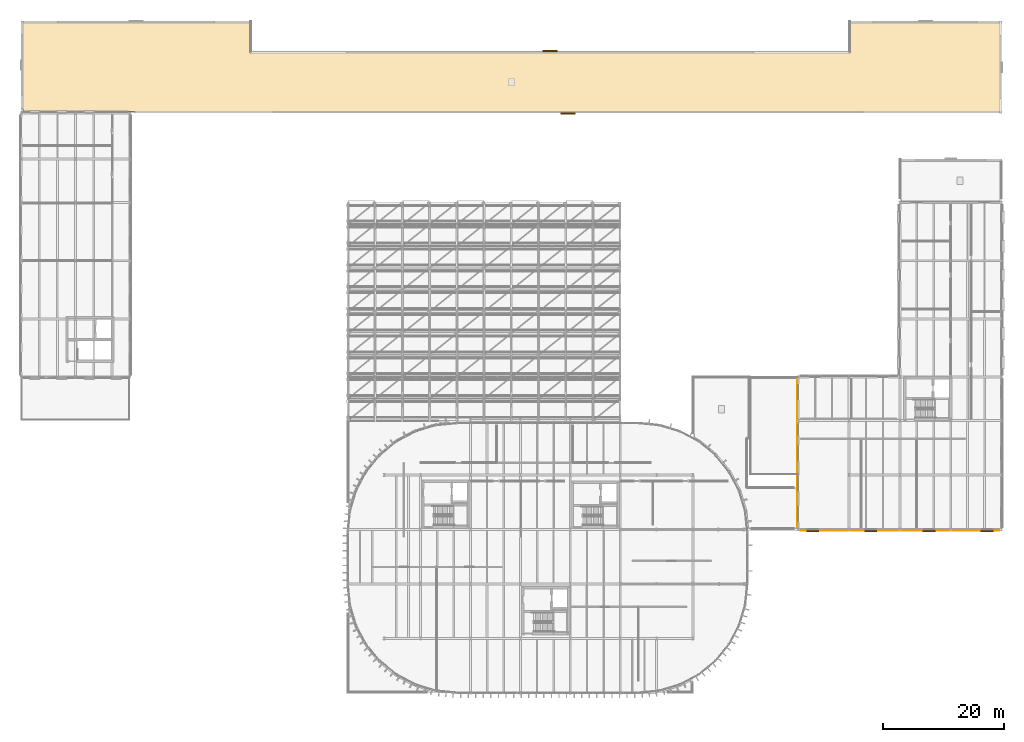
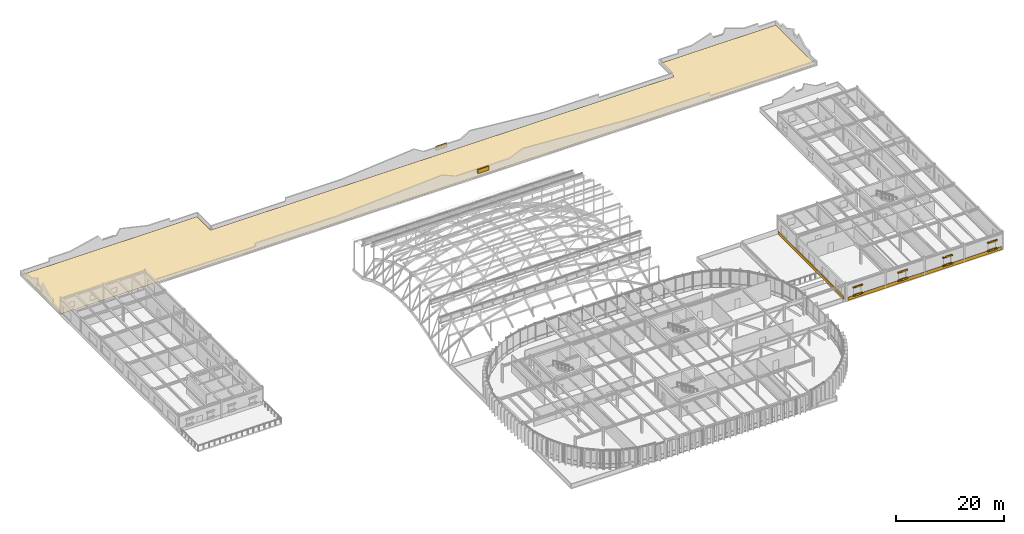
# One storey, part 67 of 69: 13 coverings.
"""IFC4 building model written with IfcOpenShell, lengths in metres."""

from ifc_helpers import new_model, si_unit, direction, frame, origin, origin_2d, place, context, subcontext, project, spatial, polyline, rectangle, outline, extrude, material, layer, layer_set, type_object, element, save


model = new_model("IFC4")

# Units and contexts
model_context = context("Model", 3, precision=1e-05, world=origin(), true_north=direction((0.0, 1.0)))
body_context = subcontext(model_context, "Body", "Model", "MODEL_VIEW")
ifc_project = project(units=[si_unit("LENGTHUNIT", "METRE"), si_unit("AREAUNIT", "SQUARE_METRE"), si_unit("VOLUMEUNIT", "CUBIC_METRE"), si_unit("PLANEANGLEUNIT", "RADIAN"), si_unit("MASSUNIT", "GRAM", prefix="KILO")], contexts=[model_context])

# Site, building, storey
site_placement = place(None, origin())
site = spatial("IfcSite", under=ifc_project, at=site_placement, CompositionType="ELEMENT")
building_placement = place(site_placement, origin())
building = spatial("IfcBuilding", under=site, at=building_placement, Name="Montealbar Specialist Clinic", CompositionType="ELEMENT")
storey_placement = place(building_placement, frame((0.0, 0.0, 9.60009765625)))
storey = spatial("IfcBuildingStorey", under=building, at=storey_placement, Name="L02", CompositionType="ELEMENT", Elevation=9.60009765625)

# Coverings
ifc_material_1 = material(Name="Terracotta architectural cladding", Category="masonry")
ifc_layer_1 = layer(ifc_material_1, 0.044921875, Name="Terracotta architectural cladding", Category="masonry")
ifc_layer_set_1 = layer_set([ifc_layer_1], Name="Terracotta architectural cladding")
covering_type_1 = type_object("IfcCoveringType", Name="COV-CLAD-TERRA", PredefinedType="CLADDING", material=ifc_layer_set_1)
covering_1_placement = place(storey_placement, frame((145.199951171875, 26.84912109375, 0.02978515625), z_axis=(0.0, 0.0, 1.0), x_axis=(-1.0, 0.0, 0.0)))
element("IfcCovering", 1, at=covering_1_placement, inside=storey, type_object=covering_type_1, Name="Facade Plinth Cladding Band L02-038", PredefinedType="CLADDING", context=body_context, shape_type="SweptSolid", body=[
    extrude(rectangle(XDim=32.800048828125, YDim=0.044921875, at=origin_2d()), origin(), (0.0, 0.0, 1.0), 0.780029296875),
])
covering_2_placement = place(storey_placement, frame((128.25, 39.60009765625, 0.02978515625), z_axis=(0.0, 0.0, 1.0), x_axis=(0.0, 1.0, 0.0)))
element("IfcCovering", 2, at=covering_2_placement, inside=storey, type_object=covering_type_1, Name="Facade Plinth Cladding Band L02-039", PredefinedType="CLADDING", context=body_context, shape_type="SweptSolid", body=[
    extrude(rectangle(XDim=24.39990234375, YDim=0.044921875, at=origin_2d()), origin(), (0.0, 0.0, 1.0), 0.780029296875),
])
ifc_material_2 = material(Name="Guadarrama granite ashlar", Category="masonry")
ifc_layer_2 = layer(ifc_material_2, 0.280029296875, Name="Guadarrama granite ashlar", Category="masonry")
ifc_layer_set_2 = layer_set([ifc_layer_2], Name="Guadarrama granite ashlar")
covering_type_2 = type_object("IfcCoveringType", Name="COV-HOOD-OCULUS", PredefinedType="CLADDING", material=ifc_layer_set_2)
for number, where, z_axis, x_axis, name in (
    (3, (159.60009765625, 26.735107421875, 2.57470703125), (0.0, 0.0, 1.0), (-1.0, 0.0, 0.0), "Postmodern Oculus Stone Frame L02-059-TOP"),
    (4, (159.60009765625, 26.735107421875, 0.7548828125), (0.0, 0.0, 1.0), (-1.0, 0.0, 0.0), "Postmodern Oculus Stone Frame L02-059-BOT"),
    (5, (150.0, 26.735107421875, 2.57470703125), (0.0, 0.0, 1.0), (-1.0, 0.0, 0.0), "Postmodern Oculus Stone Frame L02-060-TOP"),
    (6, (150.0, 26.735107421875, 0.7548828125), (0.0, 0.0, 1.0), (-1.0, 0.0, 0.0), "Postmodern Oculus Stone Frame L02-060-BOT"),
    (7, (140.39990234375, 26.735107421875, 2.57470703125), (0.0, 0.0, 1.0), (-1.0, 0.0, 0.0), "Postmodern Oculus Stone Frame L02-061-TOP"),
    (8, (140.39990234375, 26.735107421875, 0.7548828125), (0.0, 0.0, 1.0), (-1.0, 0.0, 0.0), "Postmodern Oculus Stone Frame L02-061-BOT"),
    (9, (130.800048828125, 26.735107421875, 2.57470703125), (0.0, 0.0, 1.0), (-1.0, 0.0, 0.0), "Postmodern Oculus Stone Frame L02-062-TOP"),
    (10, (130.800048828125, 26.735107421875, 0.7548828125), (0.0, 0.0, 1.0), (-1.0, 0.0, 0.0), "Postmodern Oculus Stone Frame L02-062-BOT"),
):
    element("IfcCovering", number, at=place(storey_placement, frame(where, z_axis=z_axis, x_axis=x_axis)), inside=storey, type_object=covering_type_2, Name=name, PredefinedType="CLADDING", context=body_context, shape_type="SweptSolid", body=[
        extrude(rectangle(XDim=2.0400390625, YDim=0.280029296875, at=origin_2d()), origin(), (0.0, 0.0, 1.0), 0.199951171875),
    ])
for number, where, z_axis, x_axis, name in (
    (11, (87.39990234375, 106.070068359375, 0.89990234375), (0.0, 0.0, 1.0), (1.0, 0.0, 0.0), "Postmodern Pediment Granite Keystone L02-01"),
    (12, (90.375, 95.72998046875, 0.89990234375), (0.0, 0.0, 1.0), (-1.0, 0.0, 0.0), "Postmodern Pediment Granite Keystone L02-04"),
):
    element("IfcCovering", number, at=place(storey_placement, frame(where, z_axis=z_axis, x_axis=x_axis)), inside=storey, type_object=covering_type_2, Name=name, PredefinedType="CLADDING", context=body_context, shape_type="SweptSolid", body=[
        extrude(rectangle(XDim=2.39990234375, YDim=0.219970703125, at=origin_2d()), origin(), (0.0, 0.0, 1.0), 0.89990234375),
    ])
ifc_material_3 = material(Name="Weatherproof roofing membrane", Category="concrete")
ifc_layer_3 = layer(ifc_material_3, 0.030029296875, Name="Weatherproof roofing membrane", Category="concrete")
ifc_layer_set_3 = layer_set([ifc_layer_3], Name="Weatherproof roofing membrane")
covering_type_3 = type_object("IfcCoveringType", Name="COV-ROOF-MEMB", PredefinedType="ROOFING", material=ifc_layer_set_3)
covering_3_placement = place(storey_placement, origin())
element("IfcCovering", 13, at=covering_3_placement, inside=storey, type_object=covering_type_3, Name="Weatherproof Roof Membrane ROOF-L02-01", PredefinedType="ROOFING", context=body_context, shape_type="SweptSolid", body=[
    extrude(outline(polyline([(37.719970703125, 110.719970703125), (37.719970703125, 106.0), (37.720947265625, 105.972900390625), (37.72509765625, 105.945068359375), (37.73193359375, 105.9189453125), (37.740966796875, 105.89306640625), (37.7529296875, 105.867919921875), (37.76708984375, 105.843994140625), (37.783935546875, 105.822021484375), (37.802001953125, 105.802001953125), (37.822021484375, 105.783935546875), (37.843994140625, 105.76708984375), (37.867919921875, 105.7529296875), (37.89306640625, 105.740966796875), (37.9189453125, 105.73193359375), (37.945068359375, 105.72509765625), (37.972900390625, 105.720947265625), (38.0, 105.719970703125), (136.800048828125, 105.719970703125), (136.826904296875, 105.720947265625), (136.85498046875, 105.72509765625), (136.881103515625, 105.73193359375), (136.906982421875, 105.740966796875), (136.931884765625, 105.7529296875), (136.9560546875, 105.76708984375), (136.97802734375, 105.783935546875), (136.998046875, 105.802001953125), (137.01611328125, 105.822021484375), (137.032958984375, 105.843994140625), (137.047119140625, 105.867919921875), (137.05908203125, 105.89306640625), (137.068115234375, 105.9189453125), (137.074951171875, 105.945068359375), (137.0791015625, 105.972900390625), (137.080078125, 106.0), (137.080078125, 110.719970703125), (161.719970703125, 110.719970703125), (161.719970703125, 96.080078125), (0.280029296875, 96.080078125), (0.280029296875, 110.719970703125), (37.719970703125, 110.719970703125)])), origin(), (0.0, 0.0, 1.0), 0.02978515625),
])

save(model, "model.ifc")
